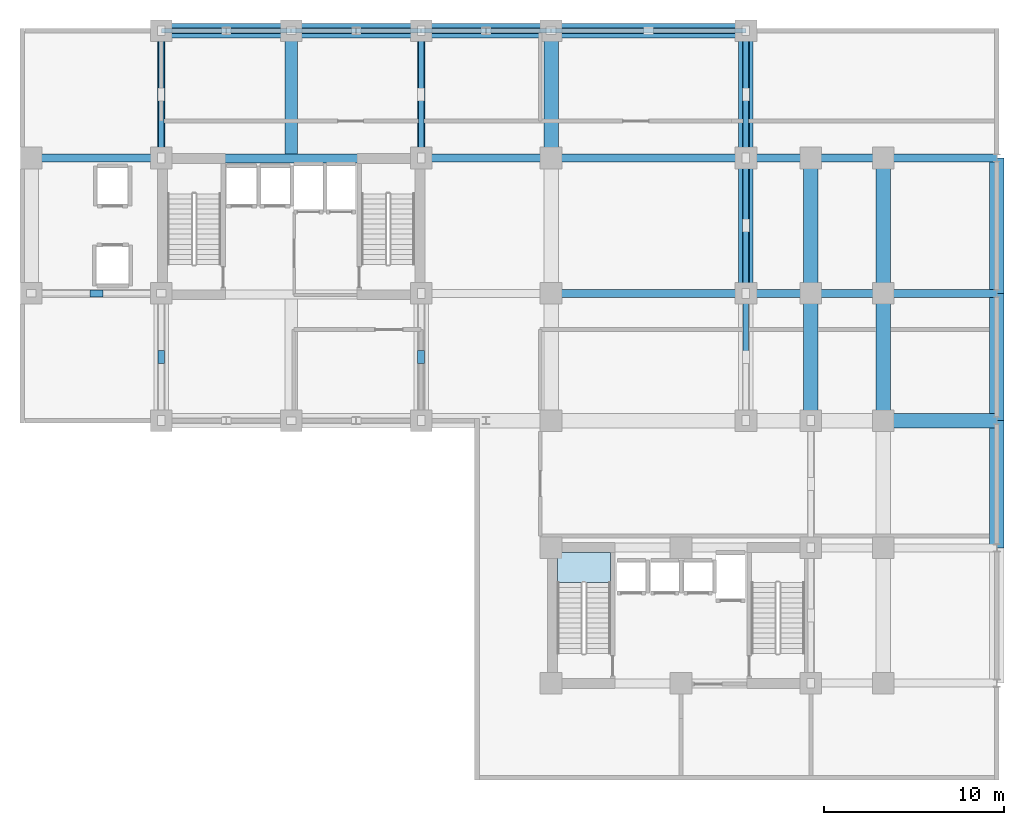
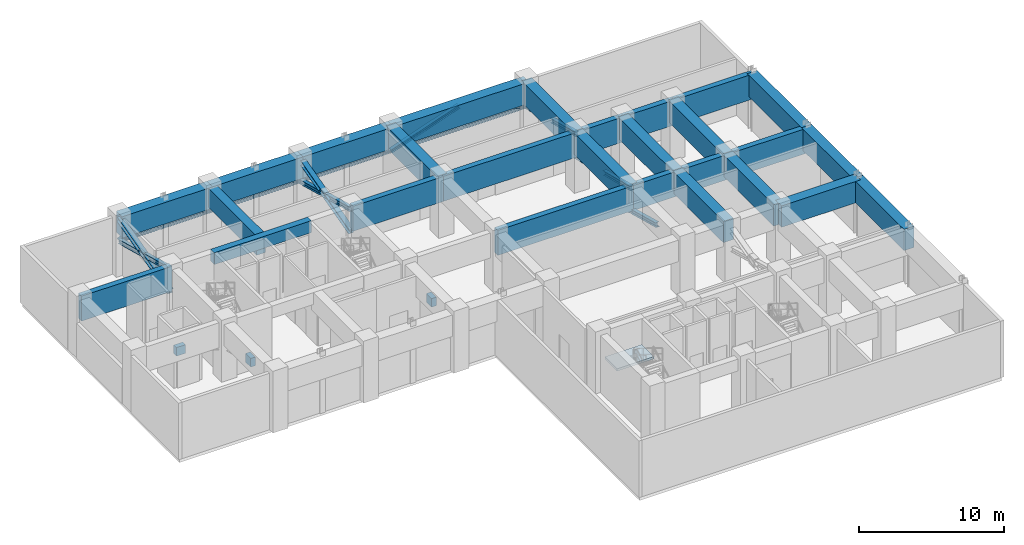
# One storey, part 2 of 8: 27 beams, 25 members, 3 plates, 1 slab, 1 element without a shape of its own.
"""IFC4 building model written with IfcOpenShell, lengths in metres."""

from ifc_helpers import new_model, si_unit, direction, frame, origin, origin_2d, place, context, subcontext, project, spatial, polyline, rectangle, i_section, outline, extrude, source, transform, mapped, material, layer, layer_set, material_profile, profile_set, type_object, element, aggregate, save


model = new_model("IFC4")

# Units and contexts
model_context = context("Model", 3, precision=1e-05, world=origin(), true_north=direction((0.0, 1.0)))
body_context = subcontext(model_context, "Body", "Model", "MODEL_VIEW")
ifc_project = project(units=[si_unit("LENGTHUNIT", "METRE"), si_unit("AREAUNIT", "SQUARE_METRE"), si_unit("VOLUMEUNIT", "CUBIC_METRE"), si_unit("PLANEANGLEUNIT", "RADIAN"), si_unit("MASSUNIT", "GRAM", prefix="KILO")], contexts=[model_context])

# Site, building, storey
site_placement = place(None, origin())
site = spatial("IfcSite", under=ifc_project, at=site_placement, CompositionType="ELEMENT")
building_placement = place(site_placement, origin())
building = spatial("IfcBuilding", under=site, at=building_placement, Name="Kaliganga Portal Commons", CompositionType="ELEMENT")
storey_placement = place(building_placement, frame((0.0, 0.0, 130.39990234375)))
storey = spatial("IfcBuildingStorey", under=building, at=storey_placement, Name="L33", CompositionType="ELEMENT", Elevation=130.39990234375)

# Beams
ifc_material_1 = material(Name="Concrete C50/60", Category="concrete")
ifc_material_profile_1 = material_profile(ifc_material_1, rectangle(XDim=0.5, YDim=1.0, at=origin_2d()), Name="RC 500x1000")
ifc_profile_set_1 = profile_set([ifc_material_profile_1], Name="Concrete C50/60")
beam_type_1 = type_object("IfcBeamType", Name="BM-CPL-1000", PredefinedType="LINTEL", material=ifc_profile_set_1)
shared_shape_1 = source(origin(), body_context, "Body", "SweptSolid", [
    extrude(rectangle(XDim=0.5, YDim=1.0, at=origin_2d()), origin(), (0.0, 0.0, 1.0), 7.739990234375),
])
beam_1_placement = place(storey_placement, frame((17.72998046875, 36.125, 4.280029296875), z_axis=(1.0, 0.0, 0.0), x_axis=(0.0, 1.0, 0.0)))
element("IfcBeam", 1, at=beam_1_placement, inside=storey, type_object=beam_type_1, Name="BM CPL COREA L33 N", PredefinedType="LINTEL", context=body_context, shape_type="MappedRepresentation", body=[
    mapped(shared_shape_1, transform((0.0, 0.0, 0.0), x_axis=(1.0, 0.0, 0.0), y_axis=(0.0, 1.0, 0.0), z_axis=(0.0, 0.0, 1.0), scale=1.0)),
])
ifc_material_2 = material(Name="Concrete C70/85", Category="concrete")
ifc_material_profile_2 = material_profile(ifc_material_2, rectangle(XDim=0.800048828125, YDim=1.800048828125, at=origin_2d()), Name="RC 800x1800")
ifc_profile_set_2 = profile_set([ifc_material_profile_2], Name="Concrete C70/85")
beam_type_2 = type_object("IfcBeamType", Name="BM-XFER-1800", PredefinedType="T_BEAM", material=ifc_profile_set_2)
shared_shape_2 = source(origin(), body_context, "Body", "SweptSolid", [
    extrude(rectangle(XDim=0.800048828125, YDim=1.800048828125, at=origin_2d()), origin(), (0.0, 0.0, 1.0), 7.2001953125),
])
beam_2_placement = place(storey_placement, frame((14.39990234375, 43.199951171875, 3.880126953125), z_axis=(1.0, 0.0, 0.0), x_axis=(0.0, 1.0, 0.0)))
element("IfcBeam", 2, at=beam_2_placement, inside=storey, type_object=beam_type_2, Name="Transfer Girder BM XFER L33 AN 1", PredefinedType="T_BEAM", context=body_context, shape_type="MappedRepresentation", body=[
    mapped(shared_shape_2, transform((0.0, 0.0, 0.0), x_axis=(1.0, 0.0, 0.0), y_axis=(0.0, 1.0, 0.0), z_axis=(0.0, 0.0, 1.0), scale=1.0)),
])
shared_shape_3 = source(origin(), body_context, "Body", "SweptSolid", [
    extrude(rectangle(XDim=0.800048828125, YDim=1.800048828125, at=origin_2d()), origin(), (0.0, 0.0, 1.0), 7.199951171875),
])
for number, where, z_axis, x_axis, name in (
    (3, (21.60009765625, 43.199951171875, 3.880126953125), (1.0, 0.0, 0.0), (0.0, 1.0, 0.0), "Transfer Girder BM XFER L33 AN 2"),
    (4, (28.800048828125, 43.199951171875, 3.880126953125), (1.0, 0.0, 0.0), (0.0, 1.0, 0.0), "Transfer Girder BM XFER L33 AN 3"),
):
    element("IfcBeam", number, at=place(storey_placement, frame(where, z_axis=z_axis, x_axis=x_axis)), inside=storey, type_object=beam_type_2, Name=name, PredefinedType="T_BEAM", context=body_context, shape_type="MappedRepresentation", body=[
        mapped(shared_shape_3, transform((0.0, 0.0, 0.0), x_axis=(1.0, 0.0, 0.0), y_axis=(0.0, 1.0, 0.0), z_axis=(0.0, 0.0, 1.0), scale=1.0)),
    ])
shared_shape_4 = source(origin(), body_context, "Body", "SweptSolid", [
    extrude(rectangle(XDim=0.800048828125, YDim=1.800048828125, at=origin_2d()), origin(), (0.0, 0.0, 1.0), 10.800048828125),
])
beam_3_placement = place(storey_placement, frame((36.0, 43.199951171875, 3.880126953125), z_axis=(1.0, 0.0, 0.0), x_axis=(0.0, 1.0, 0.0)))
element("IfcBeam", 5, at=beam_3_placement, inside=storey, type_object=beam_type_2, Name="Transfer Girder BM XFER L33 AN 4", PredefinedType="T_BEAM", context=body_context, shape_type="MappedRepresentation", body=[
    mapped(shared_shape_4, transform((0.0, 0.0, 0.0), x_axis=(1.0, 0.0, 0.0), y_axis=(0.0, 1.0, 0.0), z_axis=(0.0, 0.0, 1.0), scale=1.0)),
])
ifc_material_profile_3 = material_profile(ifc_material_2, rectangle(XDim=0.43994140625, YDim=2.10009765625, at=origin_2d()), Name="RC 440x2100")
ifc_profile_set_3 = profile_set([ifc_material_profile_3], Name="Concrete C70/85")
beam_type_3 = type_object("IfcBeamType", Name="BM-XFER-SLIM", PredefinedType="T_BEAM", material=ifc_profile_set_3)
shared_shape_5 = source(origin(), body_context, "Body", "SweptSolid", [
    extrude(rectangle(XDim=0.43994140625, YDim=2.10009765625, at=origin_2d()), origin(), (0.0, 0.0, 1.0), 7.199951171875),
])
for number, where, z_axis, x_axis, name in (
    (6, (7.199951171875, 36.14990234375, 3.72998046875), (1.0, 0.0, 0.0), (0.0, 1.0, 0.0), "Transfer Girder BM XFER L33 WW2"),
    (7, (28.800048828125, 36.14990234375, 3.72998046875), (1.0, 0.0, 0.0), (0.0, 1.0, 0.0), "Transfer Girder BM XFER L33 WE2 1"),
):
    element("IfcBeam", number, at=place(storey_placement, frame(where, z_axis=z_axis, x_axis=x_axis)), inside=storey, type_object=beam_type_3, Name=name, PredefinedType="T_BEAM", context=body_context, shape_type="MappedRepresentation", body=[
        mapped(shared_shape_5, transform((0.0, 0.0, 0.0), x_axis=(1.0, 0.0, 0.0), y_axis=(0.0, 1.0, 0.0), z_axis=(0.0, 0.0, 1.0), scale=1.0)),
    ])
shared_shape_6 = source(origin(), body_context, "Body", "SweptSolid", [
    extrude(rectangle(XDim=0.43994140625, YDim=2.10009765625, at=origin_2d()), origin(), (0.0, 0.0, 1.0), 10.800048828125),
])
for number, where, z_axis, x_axis, name in (
    (8, (36.0, 28.64990234375, 3.72998046875), (1.0, 0.0, 0.0), (0.0, 1.0, 0.0), "Transfer Girder BM XFER L33 WE1 2"),
    (9, (36.0, 36.14990234375, 3.72998046875), (1.0, 0.0, 0.0), (0.0, 1.0, 0.0), "Transfer Girder BM XFER L33 WE2 2"),
):
    element("IfcBeam", number, at=place(storey_placement, frame(where, z_axis=z_axis, x_axis=x_axis)), inside=storey, type_object=beam_type_3, Name=name, PredefinedType="T_BEAM", context=body_context, shape_type="MappedRepresentation", body=[
        mapped(shared_shape_6, transform((0.0, 0.0, 0.0), x_axis=(1.0, 0.0, 0.0), y_axis=(0.0, 1.0, 0.0), z_axis=(0.0, 0.0, 1.0), scale=1.0)),
    ])
shared_shape_7 = source(origin(), body_context, "Body", "SweptSolid", [
    extrude(rectangle(XDim=0.43994140625, YDim=2.10009765625, at=origin_2d()), origin(), (0.0, 0.0, 1.0), 3.599853515625),
])
for number, where, z_axis, x_axis, name in (
    (10, (46.800048828125, 28.64990234375, 3.72998046875), (1.0, 0.0, 0.0), (0.0, 1.0, 0.0), "Transfer Girder BM XFER L33 WE1 3"),
    (11, (46.800048828125, 36.14990234375, 3.72998046875), (1.0, 0.0, 0.0), (0.0, 1.0, 0.0), "Transfer Girder BM XFER L33 WE2 3"),
):
    element("IfcBeam", number, at=place(storey_placement, frame(where, z_axis=z_axis, x_axis=x_axis)), inside=storey, type_object=beam_type_3, Name=name, PredefinedType="T_BEAM", context=body_context, shape_type="MappedRepresentation", body=[
        mapped(shared_shape_7, transform((0.0, 0.0, 0.0), x_axis=(1.0, 0.0, 0.0), y_axis=(0.0, 1.0, 0.0), z_axis=(0.0, 0.0, 1.0), scale=1.0)),
    ])
shared_shape_8 = source(origin(), body_context, "Body", "SweptSolid", [
    extrude(rectangle(XDim=0.43994140625, YDim=2.10009765625, at=origin_2d()), origin(), (0.0, 0.0, 1.0), 4.0),
])
for number, where, z_axis, x_axis, name in (
    (12, (50.39990234375, 28.64990234375, 3.72998046875), (1.0, 0.0, 0.0), (0.0, 1.0, 0.0), "Transfer Girder BM XFER L33 WE1 4"),
    (13, (50.39990234375, 36.14990234375, 3.72998046875), (1.0, 0.0, 0.0), (0.0, 1.0, 0.0), "Transfer Girder BM XFER L33 WE2 4"),
):
    element("IfcBeam", number, at=place(storey_placement, frame(where, z_axis=z_axis, x_axis=x_axis)), inside=storey, type_object=beam_type_3, Name=name, PredefinedType="T_BEAM", context=body_context, shape_type="MappedRepresentation", body=[
        mapped(shared_shape_8, transform((0.0, 0.0, 0.0), x_axis=(1.0, 0.0, 0.0), y_axis=(0.0, 1.0, 0.0), z_axis=(0.0, 0.0, 1.0), scale=1.0)),
    ])
shared_shape_9 = source(origin(), body_context, "Body", "SweptSolid", [
    extrude(rectangle(XDim=0.800048828125, YDim=1.800048828125, at=origin_2d()), origin(), (0.0, 0.0, 1.0), 7.5),
])
for number, where, z_axis, x_axis, name in (
    (14, (46.800048828125, 28.64990234375, 3.880126953125), (0.0, 1.0, 0.0), (-1.0, 0.0, 0.0), "Transfer Girder BM XFER L33 NS468 2"),
    (15, (50.39990234375, 28.64990234375, 3.880126953125), (0.0, 1.0, 0.0), (-1.0, 0.0, 0.0), "Transfer Girder BM XFER L33 NS504 4"),
    (16, (54.39990234375, 28.64990234375, 3.880126953125), (0.0, 1.0, 0.0), (-1.0, 0.0, 0.0), "Transfer Girder BM XFER L33 NS544 4"),
    (17, (60.699951171875, 28.64990234375, 3.880126953125), (0.0, 1.0, 0.0), (-1.0, 0.0, 0.0), "Transfer Girder BM XFER L33 NS607 4"),
):
    element("IfcBeam", number, at=place(storey_placement, frame(where, z_axis=z_axis, x_axis=x_axis)), inside=storey, type_object=beam_type_2, Name=name, PredefinedType="T_BEAM", context=body_context, shape_type="MappedRepresentation", body=[
        mapped(shared_shape_9, transform((0.0, 0.0, 0.0), x_axis=(1.0, 0.0, 0.0), y_axis=(0.0, 1.0, 0.0), z_axis=(0.0, 0.0, 1.0), scale=1.0)),
    ])
shared_shape_10 = source(origin(), body_context, "Body", "SweptSolid", [
    extrude(rectangle(XDim=0.800048828125, YDim=1.800048828125, at=origin_2d()), origin(), (0.0, 0.0, 1.0), 7.0498046875),
])
for number, where, z_axis, x_axis, name in (
    (18, (50.39990234375, 21.60009765625, 3.880126953125), (0.0, 1.0, 0.0), (-1.0, 0.0, 0.0), "Transfer Girder BM XFER L33 NS504 3"),
    (19, (54.39990234375, 21.60009765625, 3.880126953125), (0.0, 1.0, 0.0), (-1.0, 0.0, 0.0), "Transfer Girder BM XFER L33 NS544 3"),
    (20, (60.699951171875, 21.60009765625, 3.880126953125), (0.0, 1.0, 0.0), (-1.0, 0.0, 0.0), "Transfer Girder BM XFER L33 NS607 3"),
):
    element("IfcBeam", number, at=place(storey_placement, frame(where, z_axis=z_axis, x_axis=x_axis)), inside=storey, type_object=beam_type_2, Name=name, PredefinedType="T_BEAM", context=body_context, shape_type="MappedRepresentation", body=[
        mapped(shared_shape_10, transform((0.0, 0.0, 0.0), x_axis=(1.0, 0.0, 0.0), y_axis=(0.0, 1.0, 0.0), z_axis=(0.0, 0.0, 1.0), scale=1.0)),
    ])
shared_shape_11 = source(origin(), body_context, "Body", "SweptSolid", [
    extrude(rectangle(XDim=0.800048828125, YDim=1.800048828125, at=origin_2d()), origin(), (0.0, 0.0, 1.0), 7.050048828125),
])
for number, where, z_axis, x_axis, name in (
    (21, (36.0, 36.14990234375, 3.880126953125), (0.0, 1.0, 0.0), (-1.0, 0.0, 0.0), "Transfer Girder BM XFER L33 NS360 5"),
    (22, (46.800048828125, 36.14990234375, 3.880126953125), (0.0, 1.0, 0.0), (-1.0, 0.0, 0.0), "Transfer Girder BM XFER L33 NS468 3"),
    (23, (60.699951171875, 14.550048828125, 3.880126953125), (0.0, 1.0, 0.0), (-1.0, 0.0, 0.0), "Transfer Girder BM XFER L33 NS607 2"),
):
    element("IfcBeam", number, at=place(storey_placement, frame(where, z_axis=z_axis, x_axis=x_axis)), inside=storey, type_object=beam_type_2, Name=name, PredefinedType="T_BEAM", context=body_context, shape_type="MappedRepresentation", body=[
        mapped(shared_shape_11, transform((0.0, 0.0, 0.0), x_axis=(1.0, 0.0, 0.0), y_axis=(0.0, 1.0, 0.0), z_axis=(0.0, 0.0, 1.0), scale=1.0)),
    ])
ifc_material_3 = material(Name="Concrete C60/75", Category="concrete")
ifc_material_profile_4 = material_profile(ifc_material_3, rectangle(XDim=0.699951171875, YDim=1.60009765625, at=origin_2d()), Name="RC 700x1600")
ifc_profile_set_4 = profile_set([ifc_material_profile_4], Name="Concrete C60/75")
beam_type_4 = type_object("IfcBeamType", Name="BM-XFER-1600", PredefinedType="T_BEAM", material=ifc_profile_set_4)
shared_shape_12 = source(origin(), body_context, "Body", "SweptSolid", [
    extrude(rectangle(XDim=0.699951171875, YDim=1.60009765625, at=origin_2d()), origin(), (0.0, 0.0, 1.0), 7.074951171875),
])
beam_4_placement = place(storey_placement, frame((21.60009765625, 36.125, 3.97998046875), z_axis=(0.0, 1.0, 0.0), x_axis=(-1.0, 0.0, 0.0)))
element("IfcBeam", 24, at=beam_4_placement, inside=storey, type_object=beam_type_4, Name="Transfer Girder BM XFER L33 CAN216", PredefinedType="T_BEAM", context=body_context, shape_type="MappedRepresentation", body=[
    mapped(shared_shape_12, transform((0.0, 0.0, 0.0), x_axis=(1.0, 0.0, 0.0), y_axis=(0.0, 1.0, 0.0), z_axis=(0.0, 0.0, 1.0), scale=1.0)),
])

# Members
ifc_material_4 = material(Name="Structural steel S460M", Category="steel")
ifc_material_profile_5 = material_profile(ifc_material_4, i_section(OverallWidth=0.300048828125, OverallDepth=0.360107421875, WebThickness=0.012451171875, FlangeThickness=0.0224609375, FilletRadius=0.027099609375, at=origin_2d()), Name="HE 360 B")
ifc_profile_set_5 = profile_set([ifc_material_profile_5], Name="Structural steel S460M wide-flange")
member_type_1 = type_object("IfcMemberType", Name="MBR-BELT-360", PredefinedType="BRACE", material=ifc_profile_set_5)
shared_shape_13 = source(origin(), body_context, "Body", "SweptSolid", [
    extrude(i_section(OverallWidth=0.300048828125, OverallDepth=0.360107421875, WebThickness=0.012451171875, FlangeThickness=0.0224609375, FilletRadius=0.027099609375, at=origin_2d()), origin(), (0.0, 0.0, 1.0), 3.648193359375),
])
for number, where, z_axis, x_axis, name in (
    (25, (14.39990234375, 39.675048828125, 3.489990234375), (0.0, 0.966237161082, -0.257654319862), (-1.0, 0.0, 0.0), "Outrigger Split Counter-Diagonal OT-L33-04B2"),
    (26, (28.800048828125, 39.675048828125, 3.489990234375), (0.0, 0.966237161082, -0.257654319862), (-1.0, 0.0, 0.0), "Outrigger Split Counter-Diagonal OT-L33-05B2"),
    (27, (46.800048828125, 25.125, 3.489990234375), (0.0, 0.966237161082, -0.257654319862), (-1.0, 0.0, 0.0), "Outrigger Split Counter-Diagonal OT-L33-06B2"),
    (28, (46.800048828125, 39.675048828125, 3.489990234375), (0.0, 0.966237161082, -0.257654319862), (-1.0, 0.0, 0.0), "Outrigger Split Counter-Diagonal OT-L33-08B2"),
):
    element("IfcMember", number, at=place(storey_placement, frame(where, z_axis=z_axis, x_axis=x_axis)), inside=storey, type_object=member_type_1, Name=name, PredefinedType="BRACE", context=body_context, shape_type="MappedRepresentation", body=[
        mapped(shared_shape_13, transform((0.0, 0.0, 0.0), x_axis=(1.0, 0.0, 0.0), y_axis=(0.0, 1.0, 0.0), z_axis=(0.0, 0.0, 1.0), scale=1.0)),
    ])
shared_shape_14 = source(origin(), body_context, "Body", "SweptSolid", [
    extrude(i_section(OverallWidth=0.300048828125, OverallDepth=0.360107421875, WebThickness=0.012451171875, FlangeThickness=0.0224609375, FilletRadius=0.027099609375, at=origin_2d()), origin(), (0.0, 0.0, 1.0), 3.6484375),
])
for number, where, z_axis, x_axis, name in (
    (29, (14.39990234375, 36.14990234375, 4.43017578125), (0.0, 0.966224942866, -0.257700135396), (-1.0, 0.0, 0.0), "Outrigger Split Counter-Diagonal OT-L33-04B1"),
    (30, (28.800048828125, 36.14990234375, 4.43017578125), (0.0, 0.966224942866, -0.257700135396), (-1.0, 0.0, 0.0), "Outrigger Split Counter-Diagonal OT-L33-05B1"),
    (31, (46.800048828125, 36.14990234375, 4.43017578125), (0.0, 0.966224942866, -0.257700135396), (-1.0, 0.0, 0.0), "Outrigger Split Counter-Diagonal OT-L33-08B1"),
):
    element("IfcMember", number, at=place(storey_placement, frame(where, z_axis=z_axis, x_axis=x_axis)), inside=storey, type_object=member_type_1, Name=name, PredefinedType="BRACE", context=body_context, shape_type="MappedRepresentation", body=[
        mapped(shared_shape_14, transform((0.0, 0.0, 0.0), x_axis=(1.0, 0.0, 0.0), y_axis=(0.0, 1.0, 0.0), z_axis=(0.0, 0.0, 1.0), scale=1.0)),
    ])
shared_shape_15 = source(origin(), body_context, "Body", "SweptSolid", [
    extrude(i_section(OverallWidth=0.300048828125, OverallDepth=0.360107421875, WebThickness=0.012451171875, FlangeThickness=0.0224609375, FilletRadius=0.027099609375, at=origin_2d()), origin(), (0.0, 0.0, 1.0), 3.865966796875),
])
for number, where, z_axis, x_axis, name in (
    (32, (46.800048828125, 28.64990234375, 4.43017578125), (0.0, 0.969978833662, -0.243189354716), (-1.0, 0.0, 0.0), "Outrigger Split Counter-Diagonal OT-L33-07B1"),
    (33, (46.800048828125, 32.39990234375, 3.489990234375), (0.0, 0.969993728352, -0.243129938422), (-1.0, 0.0, 0.0), "Outrigger Split Counter-Diagonal OT-L33-07B2"),
):
    element("IfcMember", number, at=place(storey_placement, frame(where, z_axis=z_axis, x_axis=x_axis)), inside=storey, type_object=member_type_1, Name=name, PredefinedType="BRACE", context=body_context, shape_type="MappedRepresentation", body=[
        mapped(shared_shape_15, transform((0.0, 0.0, 0.0), x_axis=(1.0, 0.0, 0.0), y_axis=(0.0, 1.0, 0.0), z_axis=(0.0, 0.0, 1.0), scale=1.0)),
    ])
ifc_material_profile_6 = material_profile(ifc_material_4, i_section(OverallWidth=0.300048828125, OverallDepth=0.300048828125, WebThickness=0.010986328125, FlangeThickness=0.01904296875, FilletRadius=0.027099609375, at=origin_2d()), Name="HE 300 B")
ifc_profile_set_6 = profile_set([ifc_material_profile_6], Name="Structural steel S460M wide-flange")
member_type_2 = type_object("IfcMemberType", Name="MBR-BELT-300", PredefinedType="BRACE", material=ifc_profile_set_6)
shared_shape_16 = source(origin(), body_context, "Body", "SweptSolid", [
    extrude(i_section(OverallWidth=0.300048828125, OverallDepth=0.300048828125, WebThickness=0.010986328125, FlangeThickness=0.01904296875, FilletRadius=0.027099609375, at=origin_2d()), origin(), (0.0, 0.0, 1.0), 4.0615234375),
])
for number, where, z_axis, x_axis, name in (
    (34, (14.39990234375, 43.199951171875, 2.550048828125), (0.886401495107, 0.0, 0.462917259855), (0.0, 1.0, 0.0), "Belt Truss Diagonal BT-L33-01L"),
    (35, (21.60009765625, 43.199951171875, 2.550048828125), (-0.886401495107, 0.0, 0.462917259855), (0.0, -1.0, 0.0), "Belt Truss Diagonal BT-L33-01R"),
    (36, (28.800048828125, 43.199951171875, 2.550048828125), (-0.886401495107, 0.0, 0.462917259855), (0.0, -1.0, 0.0), "Belt Truss Diagonal BT-L33-02R"),
    (37, (36.0, 43.199951171875, 2.550048828125), (-0.886401495107, 0.0, 0.462917259855), (0.0, -1.0, 0.0), "Belt Truss Diagonal BT-L33-03R"),
):
    element("IfcMember", number, at=place(storey_placement, frame(where, z_axis=z_axis, x_axis=x_axis)), inside=storey, type_object=member_type_2, Name=name, PredefinedType="BRACE", context=body_context, shape_type="MappedRepresentation", body=[
        mapped(shared_shape_16, transform((0.0, 0.0, 0.0), x_axis=(1.0, 0.0, 0.0), y_axis=(0.0, 1.0, 0.0), z_axis=(0.0, 0.0, 1.0), scale=1.0)),
    ])
shared_shape_17 = source(origin(), body_context, "Body", "SweptSolid", [
    extrude(i_section(OverallWidth=0.300048828125, OverallDepth=0.300048828125, WebThickness=0.010986328125, FlangeThickness=0.01904296875, FilletRadius=0.027099609375, at=origin_2d()), origin(), (0.0, 0.0, 1.0), 4.061279296875),
])
for number, where, z_axis, x_axis, name in (
    (38, (21.60009765625, 43.199951171875, 2.550048828125), (0.88638861268, 0.0, 0.4629419265), (0.0, 1.0, 0.0), "Belt Truss Diagonal BT-L33-02L"),
    (39, (28.800048828125, 43.199951171875, 2.550048828125), (0.88638861268, 0.0, 0.4629419265), (0.0, 1.0, 0.0), "Belt Truss Diagonal BT-L33-03L"),
):
    element("IfcMember", number, at=place(storey_placement, frame(where, z_axis=z_axis, x_axis=x_axis)), inside=storey, type_object=member_type_2, Name=name, PredefinedType="BRACE", context=body_context, shape_type="MappedRepresentation", body=[
        mapped(shared_shape_17, transform((0.0, 0.0, 0.0), x_axis=(1.0, 0.0, 0.0), y_axis=(0.0, 1.0, 0.0), z_axis=(0.0, 0.0, 1.0), scale=1.0)),
    ])
shared_shape_18 = source(origin(), body_context, "Body", "SweptSolid", [
    extrude(i_section(OverallWidth=0.300048828125, OverallDepth=0.300048828125, WebThickness=0.010986328125, FlangeThickness=0.01904296875, FilletRadius=0.027099609375, at=origin_2d()), origin(), (0.0, 0.0, 1.0), 5.7177734375),
])
member_1_placement = place(storey_placement, frame((36.0, 43.199951171875, 2.550048828125), z_axis=(0.944393641436, 0.0, 0.328817046419), x_axis=(0.0, 1.0, 0.0)))
element("IfcMember", 40, at=member_1_placement, inside=storey, type_object=member_type_2, Name="Belt Truss Diagonal BT-L33-04L", PredefinedType="BRACE", context=body_context, shape_type="MappedRepresentation", body=[
    mapped(shared_shape_18, transform((0.0, 0.0, 0.0), x_axis=(1.0, 0.0, 0.0), y_axis=(0.0, 1.0, 0.0), z_axis=(0.0, 0.0, 1.0), scale=1.0)),
])
shared_shape_19 = source(origin(), body_context, "Body", "SweptSolid", [
    extrude(i_section(OverallWidth=0.300048828125, OverallDepth=0.300048828125, WebThickness=0.010986328125, FlangeThickness=0.01904296875, FilletRadius=0.027099609375, at=origin_2d()), origin(), (0.0, 0.0, 1.0), 5.718017578125),
])
member_2_placement = place(storey_placement, frame((46.800048828125, 43.199951171875, 2.550048828125), z_axis=(-0.944398257688, 0.0, 0.328803787805), x_axis=(0.0, -1.0, 0.0)))
element("IfcMember", 41, at=member_2_placement, inside=storey, type_object=member_type_2, Name="Belt Truss Diagonal BT-L33-04R", PredefinedType="BRACE", context=body_context, shape_type="MappedRepresentation", body=[
    mapped(shared_shape_19, transform((0.0, 0.0, 0.0), x_axis=(1.0, 0.0, 0.0), y_axis=(0.0, 1.0, 0.0), z_axis=(0.0, 0.0, 1.0), scale=1.0)),
])

# Beams
shared_shape_20 = source(origin(), body_context, "Body", "SweptSolid", [
    extrude(rectangle(XDim=0.800048828125, YDim=1.800048828125, at=origin_2d()), origin(), (0.0, 0.0, 1.0), 6.300048828125),
])
beam_5_placement = place(storey_placement, frame((54.39990234375, 21.60009765625, 3.880126953125), z_axis=(1.0, 0.0, 0.0), x_axis=(0.0, 1.0, 0.0)))
element("IfcBeam", 42, at=beam_5_placement, inside=storey, type_object=beam_type_2, Name="Transfer Girder BM XFER L33 ASE 4", PredefinedType="T_BEAM", context=body_context, shape_type="MappedRepresentation", body=[
    mapped(shared_shape_20, transform((0.0, 0.0, 0.0), x_axis=(1.0, 0.0, 0.0), y_axis=(0.0, 1.0, 0.0), z_axis=(0.0, 0.0, 1.0), scale=1.0)),
])
shared_shape_21 = source(origin(), body_context, "Body", "SweptSolid", [
    extrude(rectangle(XDim=0.43994140625, YDim=2.10009765625, at=origin_2d()), origin(), (0.0, 0.0, 1.0), 6.300048828125),
])
for number, where, z_axis, x_axis, name in (
    (43, (54.39990234375, 28.64990234375, 3.72998046875), (1.0, 0.0, 0.0), (0.0, 1.0, 0.0), "Transfer Girder BM XFER L33 WE1 5"),
    (44, (54.39990234375, 36.14990234375, 3.72998046875), (1.0, 0.0, 0.0), (0.0, 1.0, 0.0), "Transfer Girder BM XFER L33 WE2 5"),
):
    element("IfcBeam", number, at=place(storey_placement, frame(where, z_axis=z_axis, x_axis=x_axis)), inside=storey, type_object=beam_type_3, Name=name, PredefinedType="T_BEAM", context=body_context, shape_type="MappedRepresentation", body=[
        mapped(shared_shape_21, transform((0.0, 0.0, 0.0), x_axis=(1.0, 0.0, 0.0), y_axis=(0.0, 1.0, 0.0), z_axis=(0.0, 0.0, 1.0), scale=1.0)),
    ])

# Members
ifc_material_profile_7 = material_profile(ifc_material_4, i_section(OverallWidth=0.40087890625, OverallDepth=0.406005859375, WebThickness=0.018798828125, FlangeThickness=0.025390625, FilletRadius=0.014892578125, at=origin_2d()), Name="HD 400x314")
ifc_profile_set_7 = profile_set([ifc_material_profile_7], Name="Structural steel S460M wide-flange")
member_type_3 = type_object("IfcMemberType", Name="MBR-OUTRIG-382", PredefinedType="USERDEFINED", material=ifc_profile_set_7)
shared_shape_22 = source(origin(), body_context, "Body", "SweptSolid", [
    extrude(i_section(OverallWidth=0.40087890625, OverallDepth=0.406005859375, WebThickness=0.018798828125, FlangeThickness=0.025390625, FilletRadius=0.014892578125, at=origin_2d()), origin(), (0.0, 0.0, 1.0), 7.29638671875),
])
for number, where, z_axis, x_axis, name in (
    (45, (14.39990234375, 36.14990234375, 2.550048828125), (0.0, 0.966231051996, 0.257677228639), (-1.0, 0.0, 0.0), "Outrigger Strut OT-L33-04A"),
    (46, (28.800048828125, 36.14990234375, 2.550048828125), (0.0, 0.966231051996, 0.257677228639), (-1.0, 0.0, 0.0), "Outrigger Strut OT-L33-05A"),
    (47, (46.800048828125, 36.14990234375, 2.550048828125), (0.0, 0.966231051996, 0.257677228639), (-1.0, 0.0, 0.0), "Outrigger Strut OT-L33-08A"),
):
    element("IfcMember", number, at=place(storey_placement, frame(where, z_axis=z_axis, x_axis=x_axis)), inside=storey, type_object=member_type_3, Name=name, ObjectType="OUTRIGGER", PredefinedType="USERDEFINED", context=body_context, shape_type="MappedRepresentation", body=[
        mapped(shared_shape_22, transform((0.0, 0.0, 0.0), x_axis=(1.0, 0.0, 0.0), y_axis=(0.0, 1.0, 0.0), z_axis=(0.0, 0.0, 1.0), scale=1.0)),
    ])
shared_shape_23 = source(origin(), body_context, "Body", "SweptSolid", [
    extrude(i_section(OverallWidth=0.40087890625, OverallDepth=0.406005859375, WebThickness=0.018798828125, FlangeThickness=0.025390625, FilletRadius=0.014892578125, at=origin_2d()), origin(), (0.0, 0.0, 1.0), 7.732177734375),
])
member_3_placement = place(storey_placement, frame((46.800048828125, 28.64990234375, 2.550048828125), z_axis=(0.0, 0.969986281405, 0.243159646911), x_axis=(-1.0, 0.0, 0.0)))
element("IfcMember", 48, at=member_3_placement, inside=storey, type_object=member_type_3, Name="Outrigger Strut OT-L33-07A", ObjectType="OUTRIGGER", PredefinedType="USERDEFINED", context=body_context, shape_type="MappedRepresentation", body=[
    mapped(shared_shape_23, transform((0.0, 0.0, 0.0), x_axis=(1.0, 0.0, 0.0), y_axis=(0.0, 1.0, 0.0), z_axis=(0.0, 0.0, 1.0), scale=1.0)),
])
ifc_material_profile_8 = material_profile(ifc_material_4, i_section(OverallWidth=0.260009765625, OverallDepth=0.25, WebThickness=0.007568359375, FlangeThickness=0.012451171875, FilletRadius=0.02392578125, at=origin_2d()), Name="HE 260 A")
ifc_profile_set_8 = profile_set([ifc_material_profile_8], Name="Structural steel S460M wide-flange")
member_type_4 = type_object("IfcMemberType", Name="MBR-CHORD-260A", PredefinedType="CHORD", material=ifc_profile_set_8)
shared_shape_24 = source(origin(), body_context, "Body", "SweptSolid", [
    extrude(i_section(OverallWidth=0.260009765625, OverallDepth=0.25, WebThickness=0.007568359375, FlangeThickness=0.012451171875, FilletRadius=0.02392578125, at=origin_2d()), origin(), (0.0, 0.0, 1.0), 7.2001953125),
])
member_4_placement = place(storey_placement, frame((14.39990234375, 43.199951171875, 2.550048828125), z_axis=(1.0, 0.0, 0.0), x_axis=(0.0, 1.0, 0.0)))
element("IfcMember", 49, at=member_4_placement, inside=storey, type_object=member_type_4, Name="Belt Truss Bottom Chord CHD-L33-01", PredefinedType="CHORD", context=body_context, shape_type="MappedRepresentation", body=[
    mapped(shared_shape_24, transform((0.0, 0.0, 0.0), x_axis=(1.0, 0.0, 0.0), y_axis=(0.0, 1.0, 0.0), z_axis=(0.0, 0.0, 1.0), scale=1.0)),
])
shared_shape_25 = source(origin(), body_context, "Body", "SweptSolid", [
    extrude(i_section(OverallWidth=0.260009765625, OverallDepth=0.25, WebThickness=0.007568359375, FlangeThickness=0.012451171875, FilletRadius=0.02392578125, at=origin_2d()), origin(), (0.0, 0.0, 1.0), 7.199951171875),
])
for number, where, z_axis, x_axis, name in (
    (50, (21.60009765625, 43.199951171875, 2.550048828125), (1.0, 0.0, 0.0), (0.0, 1.0, 0.0), "Belt Truss Bottom Chord CHD-L33-02"),
    (51, (28.800048828125, 43.199951171875, 2.550048828125), (1.0, 0.0, 0.0), (0.0, 1.0, 0.0), "Belt Truss Bottom Chord CHD-L33-03"),
):
    element("IfcMember", number, at=place(storey_placement, frame(where, z_axis=z_axis, x_axis=x_axis)), inside=storey, type_object=member_type_4, Name=name, PredefinedType="CHORD", context=body_context, shape_type="MappedRepresentation", body=[
        mapped(shared_shape_25, transform((0.0, 0.0, 0.0), x_axis=(1.0, 0.0, 0.0), y_axis=(0.0, 1.0, 0.0), z_axis=(0.0, 0.0, 1.0), scale=1.0)),
    ])
shared_shape_26 = source(origin(), body_context, "Body", "SweptSolid", [
    extrude(i_section(OverallWidth=0.260009765625, OverallDepth=0.25, WebThickness=0.007568359375, FlangeThickness=0.012451171875, FilletRadius=0.02392578125, at=origin_2d()), origin(), (0.0, 0.0, 1.0), 10.800048828125),
])
member_5_placement = place(storey_placement, frame((36.0, 43.199951171875, 2.550048828125), z_axis=(1.0, 0.0, 0.0), x_axis=(0.0, 1.0, 0.0)))
element("IfcMember", 52, at=member_5_placement, inside=storey, type_object=member_type_4, Name="Belt Truss Bottom Chord CHD-L33-04", PredefinedType="CHORD", context=body_context, shape_type="MappedRepresentation", body=[
    mapped(shared_shape_26, transform((0.0, 0.0, 0.0), x_axis=(1.0, 0.0, 0.0), y_axis=(0.0, 1.0, 0.0), z_axis=(0.0, 0.0, 1.0), scale=1.0)),
])

# Stair, slab
ifc_material_5 = material(Name="Concrete C40/50", Category="concrete")
stair_type = type_object("IfcStairType", Name="ST-CORE-DOGLEG", PredefinedType="HALF_TURN_STAIR", material=ifc_material_5)
stair_placement = place(storey_placement, origin())
stair = element("IfcStair", 53, at=stair_placement, inside=storey, type_object=stair_type, Name="L33 Protected Exit Stair ST-B1", PredefinedType="HALF_TURN_STAIR")
ifc_layer_1 = layer(ifc_material_5, 0.199951171875)
ifc_layer_set_1 = layer_set([ifc_layer_1], Name="Concrete C40/50")
slab_type = type_object("IfcSlabType", Name="SLB-STAIR-LND", PredefinedType="LANDING", material=ifc_layer_set_1)
slab_placement = place(storey_placement, frame((0.0, 0.0, 2.400146484375)))
slab = element("IfcSlab", 54, at=slab_placement, type_object=slab_type, Name="ST-B1 landing 1", PredefinedType="LANDING", context=body_context, shape_type="SweptSolid", body=[
    extrude(outline(polyline([(39.300048828125, 12.6201171875), (39.300048828125, 14.300048828125), (36.35009765625, 14.300048828125), (36.35009765625, 12.6201171875), (39.300048828125, 12.6201171875)])), origin(), (0.0, 0.0, 1.0), 0.199951171875),
])
aggregate(stair, [slab])

# Plates
ifc_layer_2 = layer(ifc_material_4, 0.031982421875)
ifc_layer_set_2 = layer_set([ifc_layer_2], Name="Structural steel S460M")
plate_type = type_object("IfcPlateType", Name="PLT-GUSSET-32", PredefinedType="USERDEFINED", material=ifc_layer_set_2)
shared_shape_27 = source(origin(), body_context, "Body", "SweptSolid", [
    extrude(rectangle(XDim=0.719970703125, YDim=0.3798828125, at=origin_2d()), origin(), (0.0, 0.0, 1.0), 0.719970703125),
])
for number, where, z_axis, x_axis, name in (
    (55, (10.800048828125, 28.64990234375, 3.1298828125), (0.0, 0.0, 1.0), (-1.0, 0.0, 0.0), "Outrigger Crossing Gusset Plate GP-L33-01"),
    (56, (14.39990234375, 25.125, 3.1298828125), (0.0, 0.0, 1.0), (0.0, -1.0, 0.0), "Outrigger Crossing Gusset Plate GP-L33-02"),
    (57, (28.800048828125, 25.125, 3.1298828125), (0.0, 0.0, 1.0), (0.0, -1.0, 0.0), "Outrigger Crossing Gusset Plate GP-L33-03"),
):
    element("IfcPlate", number, at=place(storey_placement, frame(where, z_axis=z_axis, x_axis=x_axis)), inside=storey, type_object=plate_type, Name=name, ObjectType="GUSSET PLATE", PredefinedType="USERDEFINED", context=body_context, shape_type="MappedRepresentation", body=[
        mapped(shared_shape_27, transform((0.0, 0.0, 0.0), x_axis=(1.0, 0.0, 0.0), y_axis=(0.0, 1.0, 0.0), z_axis=(0.0, 0.0, 1.0), scale=1.0)),
    ])

save(model, "model.ifc")
